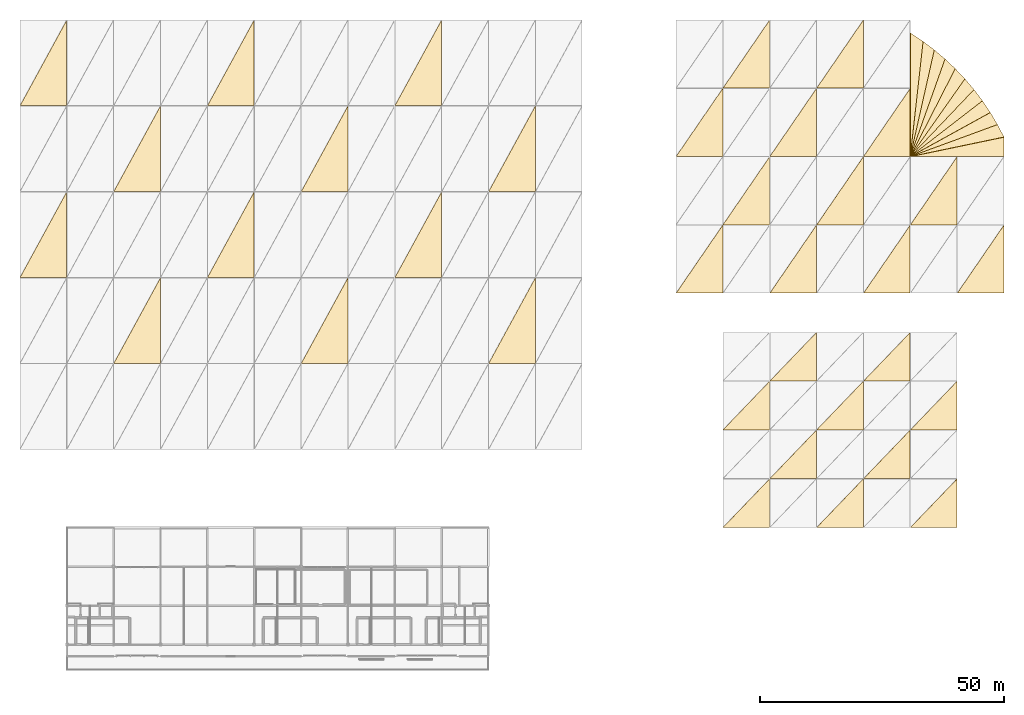
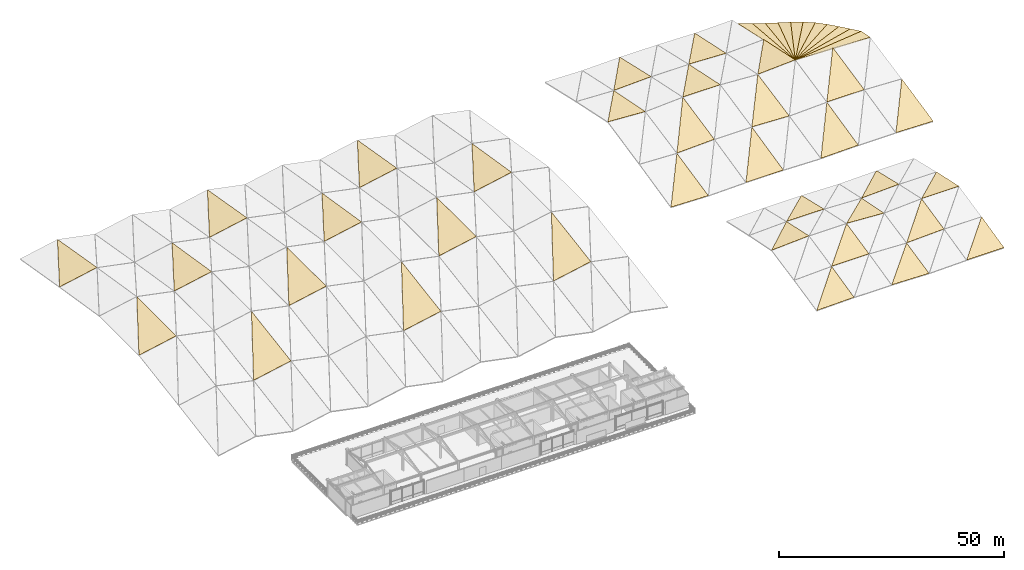
# One storey, part 26 of 26: 45 coverings.
"""IFC4 building model written with IfcOpenShell, lengths in metres."""

from ifc_helpers import new_model, si_unit, direction, frame, origin, place, context, subcontext, project, spatial, polyline, outline, extrude, material, layer, layer_set, type_object, element, save


model = new_model("IFC4")

# Units and contexts
model_context = context("Model", 3, precision=1e-05, world=origin(), true_north=direction((0.0, 1.0)))
body_context = subcontext(model_context, "Body", "Model", "MODEL_VIEW")
ifc_project = project(units=[si_unit("LENGTHUNIT", "METRE"), si_unit("AREAUNIT", "SQUARE_METRE"), si_unit("VOLUMEUNIT", "CUBIC_METRE"), si_unit("PLANEANGLEUNIT", "RADIAN"), si_unit("MASSUNIT", "GRAM", prefix="KILO")], contexts=[model_context])

# Site, building, storey
site_placement = place(None, origin())
site = spatial("IfcSite", under=ifc_project, at=site_placement, CompositionType="ELEMENT")
building_placement = place(site_placement, origin())
building = spatial("IfcBuilding", under=site, at=building_placement, Name="Danafjord Basin Convention Centre", CompositionType="ELEMENT")
storey_placement = place(building_placement, frame((0.0, 0.0, 29.39990234375)))
storey = spatial("IfcBuildingStorey", under=building, at=storey_placement, Name="RF", CompositionType="ELEMENT", Elevation=29.39990234375)

# Coverings
ifc_material = material(Name="Standing-seam zinc insulated roof cladding")
ifc_layer = layer(ifc_material, 0.0400390625)
ifc_layer_set = layer_set([ifc_layer], Name="Standing-seam zinc insulated roof cladding")
covering_type = type_object("IfcCoveringType", Name="COV-ROOF-ZINC", PredefinedType="ROOFING", material=ifc_layer_set)
covering_1_placement = place(storey_placement, frame((0.031982421875, 91.229248046875, 0.496337890625), z_axis=(-0.196116135138, 0.0, 0.980580675691), x_axis=(0.980580675691, 0.0, 0.196116135138)))
element("IfcCovering", 1, at=covering_1_placement, inside=storey, type_object=covering_type, Name="V1 standing-seam zinc roof panel", PredefinedType="ROOFING", context=body_context, shape_type="SweptSolid", body=[
    extrude(outline(polyline([(0.0, 0.0), (9.741168870572155, 0.0), (9.741168870572155, 17.511962890625), (0.0, 0.0)])), origin(), (0.0, 0.0, -1.0), 0.0400390625),
])
covering_2_placement = place(storey_placement, frame((0.031982421875, 126.42919921875, -2.3466796875), z_axis=(-0.193411953597, 0.165490849742, 0.967059767986), x_axis=(0.980580675691, 0.0, 0.196116135138)))
element("IfcCovering", 2, at=covering_2_placement, inside=storey, type_object=covering_type, Name="V1 standing-seam zinc roof panel", PredefinedType="ROOFING", context=body_context, shape_type="SweptSolid", body=[
    extrude(outline(polyline([(0.0, 0.0), (9.741168870572155, -5.551115123125783e-17), (9.15344290406307, 17.757053257736434), (0.0, 0.0)])), origin(), (0.0, 0.0, -1.0), 0.0400390625),
])
covering_3_placement = place(storey_placement, frame((19.23193359375, 73.62939453125, -2.3369140625), z_axis=(-0.193709692152, -0.156174371553, 0.968548460758), x_axis=(0.980580675691, 0.0, 0.196116135138)))
element("IfcCovering", 3, at=covering_3_placement, inside=storey, type_object=covering_type, Name="V1 standing-seam zinc roof panel", PredefinedType="ROOFING", context=body_context, shape_type="SweptSolid", body=[
    extrude(outline(polyline([(0.0, 0.0), (9.741168870572155, 0.0), (10.294947976775337, 17.72951287385829), (0.0, 0.0)])), origin(), (0.0, 0.0, -1.0), 0.0400390625),
])
covering_4_placement = place(storey_placement, frame((19.23193359375, 108.829345703125, 0.49169921875), z_axis=(-0.193709283639, 0.156187545055, 0.968546418197), x_axis=(0.980580675691, 0.0, 0.196116135138)))
element("IfcCovering", 4, at=covering_4_placement, inside=storey, type_object=covering_type, Name="V1 standing-seam zinc roof panel", PredefinedType="ROOFING", context=body_context, shape_type="SweptSolid", body=[
    extrude(outline(polyline([(0.0, 0.0), (9.741168870572155, 0.0), (9.187341884453167, 17.72955026351397), (0.0, 0.0)])), origin(), (0.0, 0.0, -1.0), 0.0400390625),
])
covering_5_placement = place(storey_placement, frame((38.431884765625, 91.229248046875, 0.496337890625), z_axis=(-0.196116135138, 0.0, 0.980580675691), x_axis=(0.980580675691, 0.0, 0.196116135138)))
element("IfcCovering", 5, at=covering_5_placement, inside=storey, type_object=covering_type, Name="V1 standing-seam zinc roof panel", PredefinedType="ROOFING", context=body_context, shape_type="SweptSolid", body=[
    extrude(outline(polyline([(0.0, 0.0), (9.741168870572155, 0.0), (9.741168870572155, 17.511962890625), (0.0, 0.0)])), origin(), (0.0, 0.0, -1.0), 0.0400390625),
])
covering_6_placement = place(storey_placement, frame((38.431884765625, 126.42919921875, -2.3466796875), z_axis=(-0.193411953597, 0.165490849742, 0.967059767986), x_axis=(0.980580675691, 0.0, 0.196116135138)))
element("IfcCovering", 6, at=covering_6_placement, inside=storey, type_object=covering_type, Name="V1 standing-seam zinc roof panel", PredefinedType="ROOFING", context=body_context, shape_type="SweptSolid", body=[
    extrude(outline(polyline([(0.0, 0.0), (9.741168870572155, -5.551115123125783e-17), (9.15344290406307, 17.757053257736434), (0.0, 0.0)])), origin(), (0.0, 0.0, -1.0), 0.0400390625),
])
covering_7_placement = place(storey_placement, frame((57.632080078125, 73.62939453125, -2.3369140625), z_axis=(-0.193709692152, -0.156174371553, 0.968548460758), x_axis=(0.980580675691, 0.0, 0.196116135138)))
element("IfcCovering", 7, at=covering_7_placement, inside=storey, type_object=covering_type, Name="V1 standing-seam zinc roof panel", PredefinedType="ROOFING", context=body_context, shape_type="SweptSolid", body=[
    extrude(outline(polyline([(0.0, 0.0), (9.741168870572155, 0.0), (10.294947976775337, 17.72951287385829), (0.0, 0.0)])), origin(), (0.0, 0.0, -1.0), 0.0400390625),
])
covering_8_placement = place(storey_placement, frame((57.632080078125, 108.829345703125, 0.49169921875), z_axis=(-0.193709283639, 0.156187545055, 0.968546418197), x_axis=(0.980580675691, 0.0, 0.196116135138)))
element("IfcCovering", 8, at=covering_8_placement, inside=storey, type_object=covering_type, Name="V1 standing-seam zinc roof panel", PredefinedType="ROOFING", context=body_context, shape_type="SweptSolid", body=[
    extrude(outline(polyline([(0.0, 0.0), (9.741168870572155, 0.0), (9.187341884453167, 17.72955026351397), (0.0, 0.0)])), origin(), (0.0, 0.0, -1.0), 0.0400390625),
])
covering_9_placement = place(storey_placement, frame((76.83203125, 91.229248046875, 0.496337890625), z_axis=(-0.196116135138, 0.0, 0.980580675691), x_axis=(0.980580675691, 0.0, 0.196116135138)))
element("IfcCovering", 9, at=covering_9_placement, inside=storey, type_object=covering_type, Name="V1 standing-seam zinc roof panel", PredefinedType="ROOFING", context=body_context, shape_type="SweptSolid", body=[
    extrude(outline(polyline([(0.0, 0.0), (9.741168870572155, 0.0), (9.741168870572155, 17.511962890625), (0.0, 0.0)])), origin(), (0.0, 0.0, -1.0), 0.0400390625),
])
covering_10_placement = place(storey_placement, frame((76.83203125, 126.42919921875, -2.3466796875), z_axis=(-0.193411953597, 0.165490849742, 0.967059767986), x_axis=(0.980580675691, 0.0, 0.196116135138)))
element("IfcCovering", 10, at=covering_10_placement, inside=storey, type_object=covering_type, Name="V1 standing-seam zinc roof panel", PredefinedType="ROOFING", context=body_context, shape_type="SweptSolid", body=[
    extrude(outline(polyline([(0.0, 0.0), (9.741168870572155, -5.551115123125783e-17), (9.15344290406307, 17.757053257736434), (0.0, 0.0)])), origin(), (0.0, 0.0, -1.0), 0.0400390625),
])
covering_11_placement = place(storey_placement, frame((96.031982421875, 73.62939453125, -2.3369140625), z_axis=(-0.193709692152, -0.156174371553, 0.968548460758), x_axis=(0.980580675691, 0.0, 0.196116135138)))
element("IfcCovering", 11, at=covering_11_placement, inside=storey, type_object=covering_type, Name="V1 standing-seam zinc roof panel", PredefinedType="ROOFING", context=body_context, shape_type="SweptSolid", body=[
    extrude(outline(polyline([(0.0, 0.0), (9.741168870572155, 0.0), (10.294947976775337, 17.72951287385829), (0.0, 0.0)])), origin(), (0.0, 0.0, -1.0), 0.0400390625),
])
covering_12_placement = place(storey_placement, frame((96.031982421875, 108.829345703125, 0.49169921875), z_axis=(-0.193709283639, 0.156187545055, 0.968546418197), x_axis=(0.980580675691, 0.0, 0.196116135138)))
element("IfcCovering", 12, at=covering_12_placement, inside=storey, type_object=covering_type, Name="V1 standing-seam zinc roof panel", PredefinedType="ROOFING", context=body_context, shape_type="SweptSolid", body=[
    extrude(outline(polyline([(0.0, 0.0), (9.741168870572155, 0.0), (9.187341884453167, 17.72955026351397), (0.0, 0.0)])), origin(), (0.0, 0.0, -1.0), 0.0400390625),
])
covering_13_placement = place(storey_placement, frame((134.431884765625, 88.023193359375, -4.530517578125), z_axis=(0.022906125536, -0.210526769045, 0.977319696378), x_axis=(0.999725450225, 0.0, -0.023431264865)))
element("IfcCovering", 13, at=covering_13_placement, inside=storey, type_object=covering_type, Name="V2 standing-seam zinc roof panel", PredefinedType="ROOFING", context=body_context, shape_type="SweptSolid", body=[
    extrude(outline(polyline([(0.0, 0.0), (9.554625173320217, -6.938893903907228e-18), (9.484314217153285, 14.249535035700598), (0.0, 0.0)])), origin(), (0.0, 0.0, -1.0), 0.0400390625),
])
covering_14_placement = place(storey_placement, frame((134.431884765625, 116.023193359375, 1.59619140625), z_axis=(0.057386865014, 0.194710346981, 0.979180590342), x_axis=(0.998287019617, 0.0, -0.058506636063)))
element("IfcCovering", 14, at=covering_14_placement, inside=storey, type_object=covering_type, Name="V2 standing-seam zinc roof panel", PredefinedType="ROOFING", context=body_context, shape_type="SweptSolid", body=[
    extrude(outline(polyline([(0.0, 0.0), (9.568392421636535, 0.0), (9.730456946240038, 14.20199072629945), (0.0, 0.0)])), origin(), (0.0, 0.0, -1.0), 0.0400390625),
])
covering_15_placement = place(storey_placement, frame((144.031982421875, 102.023193359375, -1.73779296875), z_axis=(-0.040132126722, -0.206185612186, 0.977689575342), x_axis=(0.999158597126, 0.0, 0.041013385482)))
element("IfcCovering", 15, at=covering_15_placement, inside=storey, type_object=covering_type, Name="V2 standing-seam zinc roof panel", PredefinedType="ROOFING", context=body_context, shape_type="SweptSolid", body=[
    extrude(outline(polyline([(0.0, 0.0), (9.560045803136914, 1.3877787807814457e-17), (9.680532636023967, 14.236067605044642), (0.0, 0.0)])), origin(), (0.0, 0.0, -1.0), 0.0400390625),
])
covering_16_placement = place(storey_placement, frame((144.031982421875, 130.023193359375, -1.747802734375), z_axis=(-0.03994372084, 0.22162726763, 0.974313016134), x_axis=(0.999160688834, 0.0, 0.040962396036)))
element("IfcCovering", 16, at=covering_16_placement, inside=storey, type_object=covering_type, Name="V2 standing-seam zinc roof panel", PredefinedType="ROOFING", context=body_context, shape_type="SweptSolid", body=[
    extrude(outline(polyline([(0.0, 0.0), (9.560025789518367, 0.0), (9.430228197197819, 14.285433735039122), (0.0, 0.0)])), origin(), (0.0, 0.0, -1.0), 0.0400390625),
])
covering_17_placement = place(storey_placement, frame((153.632080078125, 88.023193359375, -4.529541015625), z_axis=(0.0, -0.221804282724, 0.975091206075), x_axis=(1.0, 0.0, 0.0)))
element("IfcCovering", 17, at=covering_17_placement, inside=storey, type_object=covering_type, Name="V2 standing-seam zinc roof panel", PredefinedType="ROOFING", context=body_context, shape_type="SweptSolid", body=[
    extrude(outline(polyline([(0.0, 0.0), (9.552001953125, 0.0), (9.552001953125, 14.286023393973778), (0.0, 0.0)])), origin(), (0.0, 0.0, -1.0), 0.0400390625),
])
covering_18_placement = place(storey_placement, frame((153.632080078125, 116.023193359375, 1.59765625), z_axis=(0.0, 0.206368271542, 0.978474392358), x_axis=(1.0, 0.0, 0.0)))
element("IfcCovering", 18, at=covering_18_placement, inside=storey, type_object=covering_type, Name="V2 standing-seam zinc roof panel", PredefinedType="ROOFING", context=body_context, shape_type="SweptSolid", body=[
    extrude(outline(polyline([(0.0, 0.0), (9.552001953125, 0.0), (9.552001953125, 14.236627846413853), (0.0, 0.0)])), origin(), (0.0, 0.0, -1.0), 0.0400390625),
])
covering_19_placement = place(storey_placement, frame((163.23193359375, 102.023193359375, -1.346923828125), z_axis=(0.040177074341, -0.194874282765, 0.980005008464), x_axis=(0.999160688834, 0.0, -0.040962396036)))
element("IfcCovering", 19, at=covering_19_placement, inside=storey, type_object=covering_type, Name="V2 standing-seam zinc roof panel", PredefinedType="ROOFING", context=body_context, shape_type="SweptSolid", body=[
    extrude(outline(polyline([(0.0, 0.0), (9.560025789518367, 1.3877787807814457e-17), (9.44655915245319, 14.202462139442714), (0.0, 0.0)])), origin(), (0.0, 0.0, -1.0), 0.0400390625),
])
covering_20_placement = place(storey_placement, frame((163.23193359375, 130.023193359375, -1.3564453125), z_axis=(0.040070134521, 0.210429256711, 0.976787547136), x_axis=(0.999159643304, 0.0, -0.040987890799)))
element("IfcCovering", 20, at=covering_20_placement, inside=storey, type_object=covering_type, Name="V2 standing-seam zinc roof panel", PredefinedType="ROOFING", context=body_context, shape_type="SweptSolid", body=[
    extrude(outline(polyline([(0.0, 0.0), (9.56003579321549, 0.0), (9.68303949284902, 14.249229021777806), (0.0, 0.0)])), origin(), (0.0, 0.0, -1.0), 0.0400390625),
])
covering_21_placement = place(storey_placement, frame((172.83203125, 88.023193359375, -4.75390625), z_axis=(-0.022847842322, -0.221762625985, 0.974832967137), x_axis=(0.999725450225, 0.0, 0.023431264865)))
element("IfcCovering", 21, at=covering_21_placement, inside=storey, type_object=covering_type, Name="V2 standing-seam zinc roof panel", PredefinedType="ROOFING", context=body_context, shape_type="SweptSolid", body=[
    extrude(outline(polyline([(0.0, 0.0), (9.554625173320217, 0.0), (9.628877570281144, 14.285884581351109), (0.0, 0.0)])), origin(), (0.0, 0.0, -1.0), 0.0400390625),
])
covering_22_placement = place(storey_placement, frame((172.83203125, 116.023193359375, 1.037109375), z_axis=(-0.057226532236, 0.206030079181, 0.976870887314), x_axis=(0.998288509554, 0.0, 0.058481208023)))
element("IfcCovering", 22, at=covering_22_placement, inside=storey, type_object=covering_type, Name="V2 standing-seam zinc roof panel", PredefinedType="ROOFING", context=body_context, shape_type="SweptSolid", body=[
    extrude(outline(polyline([(0.0, 0.0), (9.568378140893847, -2.7755575615628914e-17), (9.396561037049032, 14.23559100705386), (0.0, 0.0)])), origin(), (0.0, 0.0, -1.0), 0.0400390625),
])
covering_23_placement = place(storey_placement, frame((182.431884765625, 102.023193359375, -1.34521484375), z_axis=(0.0, -0.206368271542, 0.978474392358), x_axis=(1.0, 0.0, 0.0)))
element("IfcCovering", 23, at=covering_23_placement, inside=storey, type_object=covering_type, Name="V2 standing-seam zinc roof panel", PredefinedType="ROOFING", context=body_context, shape_type="SweptSolid", body=[
    extrude(outline(polyline([(0.0, 0.0), (9.552001953125, 0.0), (9.552001953125, 14.236627846413853), (0.0, 0.0)])), origin(), (0.0, 0.0, -1.0), 0.0400390625),
])
covering_24_placement = place(storey_placement, frame((192.031982421875, 88.023193359375, -4.530517578125), z_axis=(0.022906125536, -0.210526769045, 0.977319696378), x_axis=(0.999725450225, 0.0, -0.023431264865)))
element("IfcCovering", 24, at=covering_24_placement, inside=storey, type_object=covering_type, Name="V2 standing-seam zinc roof panel", PredefinedType="ROOFING", context=body_context, shape_type="SweptSolid", body=[
    extrude(outline(polyline([(0.0, 0.0), (9.554625173320217, -6.938893903907228e-18), (9.484314217153285, 14.249535035700598), (0.0, 0.0)])), origin(), (0.0, 0.0, -1.0), 0.0400390625),
])
covering_25_placement = place(storey_placement, frame((144.031982421875, 40.0166015625, -6.755126953125), z_axis=(-0.02278381971, -0.228987863917, 0.973162604983), x_axis=(0.999726048452, 0.0, 0.023405726783)))
element("IfcCovering", 25, at=covering_25_placement, inside=storey, type_object=covering_type, Name="V3 standing-seam zinc roof panel", PredefinedType="ROOFING", context=body_context, shape_type="SweptSolid", body=[
    extrude(outline(polyline([(0.0, 0.0), (9.554619455914008, 0.0), (9.609419485173849, 10.22179581310729), (0.0, 0.0)])), origin(), (0.0, 0.0, -1.0), 0.0400390625),
])
covering_26_placement = place(storey_placement, frame((144.031982421875, 60.0166015625, -2.561767578125), z_axis=(-0.057162919173, 0.213087656264, 0.975359447291), x_axis=(0.998287019617, 0.0, 0.058506636063)))
element("IfcCovering", 26, at=covering_26_placement, inside=storey, type_object=covering_type, Name="V3 standing-seam zinc roof panel", PredefinedType="ROOFING", context=body_context, shape_type="SweptSolid", body=[
    extrude(outline(polyline([(0.0, 0.0), (9.568392421636535, 1.3877787807814457e-17), (9.441209050662659, 10.184092490943202), (0.0, 0.0)])), origin(), (0.0, 0.0, -1.0), 0.0400390625),
])
covering_27_placement = place(storey_placement, frame((153.632080078125, 50.0166015625, -4.178466796875), z_axis=(2.4970017e-05, -0.21345953296, 0.97695190627), x_axis=(0.999999999673, 0.0, -2.5559105e-05)))
element("IfcCovering", 27, at=covering_27_placement, inside=storey, type_object=covering_type, Name="V3 standing-seam zinc roof panel", PredefinedType="ROOFING", context=body_context, shape_type="SweptSolid", body=[
    extrude(outline(polyline([(0.0, 0.0), (9.55200195624501, 0.0), (9.551946388902774, 10.184938731772965), (0.0, 0.0)])), origin(), (0.0, 0.0, -1.0), 0.0400390625),
])
covering_28_placement = place(storey_placement, frame((153.632080078125, 70.0166015625, -4.18603515625), z_axis=(0.0, 0.229024690002, 0.973420613799), x_axis=(1.0, 0.0, 0.0)))
element("IfcCovering", 28, at=covering_28_placement, inside=storey, type_object=covering_type, Name="V3 standing-seam zinc roof panel", PredefinedType="ROOFING", context=body_context, shape_type="SweptSolid", body=[
    extrude(outline(polyline([(0.0, 0.0), (9.552001953125, 0.0), (9.552001953125, 10.221886789168742), (0.0, 0.0)])), origin(), (0.0, 0.0, -1.0), 0.0400390625),
])
covering_29_placement = place(storey_placement, frame((163.23193359375, 40.0166015625, -6.531982421875), z_axis=(0.022891973403, -0.213312101847, 0.976715877192), x_axis=(0.999725450225, 0.0, -0.023431264865)))
element("IfcCovering", 29, at=covering_29_placement, inside=storey, type_object=covering_type, Name="V3 standing-seam zinc roof panel", PredefinedType="ROOFING", context=body_context, shape_type="SweptSolid", body=[
    extrude(outline(polyline([(0.0, 0.0), (9.554625173320217, -6.938893903907228e-18), (9.503706792322587, 10.184603036462143), (0.0, 0.0)])), origin(), (0.0, 0.0, -1.0), 0.0400390625),
])
covering_30_placement = place(storey_placement, frame((163.23193359375, 60.0166015625, -2.002685546875), z_axis=(0.057331775626, 0.197289515749, 0.978667417706), x_axis=(0.998288509554, 0.0, -0.058481208023)))
element("IfcCovering", 30, at=covering_30_placement, inside=storey, type_object=covering_type, Name="V3 standing-seam zinc roof panel", PredefinedType="ROOFING", context=body_context, shape_type="SweptSolid", body=[
    extrude(outline(polyline([(0.0, 0.0), (9.568378140893847, 0.0), (9.685683220268036, 10.149684630939298), (0.0, 0.0)])), origin(), (0.0, 0.0, -1.0), 0.0400390625),
])
covering_31_placement = place(storey_placement, frame((172.83203125, 50.0166015625, -4.57080078125), z_axis=(-0.040020025212, -0.213265665505, 0.976174243411), x_axis=(0.999160688834, 0.0, 0.040962396036)))
element("IfcCovering", 31, at=covering_31_placement, inside=storey, type_object=covering_type, Name="V3 standing-seam zinc roof panel", PredefinedType="ROOFING", context=body_context, shape_type="SweptSolid", body=[
    extrude(outline(polyline([(0.0, 0.0), (9.560025789518367, -1.3877787807814457e-17), (9.649070998087762, 10.18449735749236), (0.0, 0.0)])), origin(), (0.0, 0.0, -1.0), 0.0400390625),
])
covering_32_placement = place(storey_placement, frame((172.83203125, 70.0166015625, -4.57861328125), z_axis=(-0.039900433766, 0.228819695129, 0.972650760811), x_axis=(0.999159643304, 0.0, 0.040987890799)))
element("IfcCovering", 32, at=covering_32_placement, inside=storey, type_object=covering_type, Name="V3 standing-seam zinc roof panel", PredefinedType="ROOFING", context=body_context, shape_type="SweptSolid", body=[
    extrude(outline(polyline([(0.0, 0.0), (9.56003579321549, 0.0), (9.464090505867112, 10.221380581611529), (0.0, 0.0)])), origin(), (0.0, 0.0, -1.0), 0.0400390625),
])
covering_33_placement = place(storey_placement, frame((182.431884765625, 40.0166015625, -6.531005859375), z_axis=(0.0, -0.229024690002, 0.973420613799), x_axis=(1.0, 0.0, 0.0)))
element("IfcCovering", 33, at=covering_33_placement, inside=storey, type_object=covering_type, Name="V3 standing-seam zinc roof panel", PredefinedType="ROOFING", context=body_context, shape_type="SweptSolid", body=[
    extrude(outline(polyline([(0.0, 0.0), (9.552001953125, 0.0), (9.552001953125, 10.221886789168742), (0.0, 0.0)])), origin(), (0.0, 0.0, -1.0), 0.0400390625),
])
covering_34_placement = place(storey_placement, frame((182.431884765625, 60.0166015625, -2.0009765625), z_axis=(0.0, 0.213436654327, 0.976956905185), x_axis=(1.0, 0.0, 0.0)))
element("IfcCovering", 34, at=covering_34_placement, inside=storey, type_object=covering_type, Name="V3 standing-seam zinc roof panel", PredefinedType="ROOFING", context=body_context, shape_type="SweptSolid", body=[
    extrude(outline(polyline([(0.0, 0.0), (9.552001953125, 0.0), (9.552001953125, 10.184886620573545), (0.0, 0.0)])), origin(), (0.0, 0.0, -1.0), 0.0400390625),
])
covering_35_placement = place(storey_placement, frame((182.39990234375, 116.0, 1.5625), z_axis=(0.068487483375, 0.212803728308, 0.974691765554), x_axis=(0.10782187856, 0.969684383457, -0.219286659383)))
element("IfcCovering", 35, at=covering_35_placement, inside=storey, type_object=covering_type, Name="Plenary drum curved roof acoustic deck panel 1", PredefinedType="ROOFING", context=body_context, shape_type="SweptSolid", body=[
    extrude(outline(polyline([(0.0, 0.0), (24.327593898672347, -5.551115123125783e-17), (25.795272666037405, 2.8042661768281905), (0.0, 0.0)])), origin(), (0.0, 0.0, -1.0), 0.159912109375),
])
covering_36_placement = place(storey_placement, frame((182.39990234375, 116.0, 1.5625), z_axis=(0.037583993719, 0.21643912588, 0.975572420789), x_axis=(0.21432819234, 0.951797083351, -0.219421371093)))
element("IfcCovering", 36, at=covering_36_placement, inside=storey, type_object=covering_type, Name="Plenary drum curved roof acoustic deck panel 2", PredefinedType="ROOFING", context=body_context, shape_type="SweptSolid", body=[
    extrude(outline(polyline([(0.0, 0.0), (22.96078049462301, -1.3183898417423734e-16), (24.185720619401735, 2.623498240701828), (0.0, 0.0)])), origin(), (0.0, 0.0, -1.0), 0.159912109375),
])
covering_37_placement = place(storey_placement, frame((182.39990234375, 116.0, 1.5625), z_axis=(-0.026898586629, 0.230307894142, 0.97274597914), x_axis=(0.328119978845, 0.921217539345, -0.209034745163)))
element("IfcCovering", 37, at=covering_37_placement, inside=storey, type_object=covering_type, Name="Plenary drum curved roof acoustic deck panel 3", PredefinedType="ROOFING", context=body_context, shape_type="SweptSolid", body=[
    extrude(outline(polyline([(0.0, 0.0), (21.70271305959356, -5.551115123125783e-17), (22.8001519120393, 2.711183083119084), (0.0, 0.0)])), origin(), (0.0, 0.0, -1.0), 0.159912109375),
])
covering_38_placement = place(storey_placement, frame((182.39990234375, 116.0, 1.5625), z_axis=(-0.064607250273, 0.242652875925, 0.967959443891), x_axis=(0.447132727455, 0.874205680482, -0.189305975211)))
element("IfcCovering", 38, at=covering_38_placement, inside=storey, type_object=covering_type, Name="Plenary drum curved roof acoustic deck panel 4", PredefinedType="ROOFING", context=body_context, shape_type="SweptSolid", body=[
    extrude(outline(polyline([(0.0, 0.0), (20.604921536524174, -2.220446049250313e-16), (21.520807716352145, 2.8040309168856887), (0.0, 0.0)])), origin(), (0.0, 0.0, -1.0), 0.159912109375),
])
covering_39_placement = place(storey_placement, frame((182.39990234375, 116.0, 1.5625), z_axis=(-0.052910318934, 0.237120391028, 0.970038359195), x_axis=(0.567129121036, 0.806674902197, -0.166253307451)))
element("IfcCovering", 39, at=covering_39_placement, inside=storey, type_object=covering_type, Name="Plenary drum curved roof acoustic deck panel 5", PredefinedType="ROOFING", context=body_context, shape_type="SweptSolid", body=[
    extrude(outline(polyline([(0.0, 0.0), (19.73644945955801, -4.440892098500626e-16), (20.40411662418801, 2.8696369653410883), (0.0, 0.0)])), origin(), (0.0, 0.0, -1.0), 0.159912109375),
])
covering_40_placement = place(storey_placement, frame((182.39990234375, 116.0, 1.5625), z_axis=(-0.011198171866, 0.209388016946, 0.977768510081), x_axis=(0.681931091186, 0.716760973551, -0.145683539454)))
element("IfcCovering", 40, at=covering_40_placement, inside=storey, type_object=covering_type, Name="Plenary drum curved roof acoustic deck panel 6", PredefinedType="ROOFING", context=body_context, shape_type="SweptSolid", body=[
    extrude(outline(polyline([(0.0, 0.0), (19.142988767443356, -1.0547118733938987e-15), (19.52243606325205, 2.8986078427278503), (0.0, 0.0)])), origin(), (0.0, 0.0, -1.0), 0.159912109375),
])
covering_41_placement = place(storey_placement, frame((182.39990234375, 116.0, 1.5625), z_axis=(0.032868121079, 0.168948465283, 0.98507669889), x_axis=(0.784699948019, 0.606063484118, -0.130127033308)))
element("IfcCovering", 41, at=covering_41_placement, inside=storey, type_object=covering_type, Name="Plenary drum curved roof acoustic deck panel 7", PredefinedType="ROOFING", context=body_context, shape_type="SweptSolid", body=[
    extrude(outline(polyline([(0.0, 0.0), (18.848018404787002, 2.1094237467877974e-15), (18.922295213128688, 2.8984069448008176), (0.0, 0.0)])), origin(), (0.0, 0.0, -1.0), 0.159912109375),
])
covering_42_placement = place(storey_placement, frame((182.39990234375, 116.0, 1.5625), z_axis=(0.04614921886, 0.152223294787, 0.987268108531), x_axis=(0.870165095843, 0.479256094283, -0.11457007493)))
element("IfcCovering", 42, at=covering_42_placement, inside=storey, type_object=covering_type, Name="Plenary drum curved roof acoustic deck panel 8", PredefinedType="ROOFING", context=body_context, shape_type="SweptSolid", body=[
    extrude(outline(polyline([(0.0, 0.0), (18.843799728593638, -9.992007221626409e-16), (18.62536276228297, 2.888539381859349), (0.0, 0.0)])), origin(), (0.0, 0.0, -1.0), 0.159912109375),
])
covering_43_placement = place(storey_placement, frame((182.39990234375, 116.0, 1.5625), z_axis=(0.040633138998, 0.161927274663, 0.985965773105), x_axis=(0.93460761722, 0.342809497244, -0.094816931162)))
element("IfcCovering", 43, at=covering_43_placement, inside=storey, type_object=covering_type, Name="Plenary drum curved roof acoustic deck panel 9", PredefinedType="ROOFING", context=body_context, shape_type="SweptSolid", body=[
    extrude(outline(polyline([(0.0, 0.0), (19.118359120224394, 1.942890293094024e-16), (18.625581940945143, 2.859455467826669), (0.0, 0.0)])), origin(), (0.0, 0.0, -1.0), 0.159912109375),
])
covering_44_placement = place(storey_placement, frame((182.39990234375, 116.0, 1.5625), z_axis=(0.029759104023, 0.190277120596, 0.981279273757), x_axis=(0.976642721856, 0.203465163965, -0.069071853148)))
element("IfcCovering", 44, at=covering_44_placement, inside=storey, type_object=covering_type, Name="Plenary drum curved roof acoustic deck panel 10", PredefinedType="ROOFING", context=body_context, shape_type="SweptSolid", body=[
    extrude(outline(polyline([(0.0, 0.0), (19.659385036938307, 2.498001805406602e-16), (18.90952352624688, 2.8180801018038935), (0.0, 0.0)])), origin(), (0.0, 0.0, -1.0), 0.159912109375),
])
covering_45_placement = place(storey_placement, frame((182.39990234375, 116.0, 1.5625), z_axis=(0.028722125712, 0.19495341142, 0.980391863935), x_axis=(0.999571131339, 0.0, -0.029284012596)))
element("IfcCovering", 45, at=covering_45_placement, inside=storey, type_object=covering_type, Name="Plenary drum curved roof acoustic deck panel 11", PredefinedType="ROOFING", context=body_context, shape_type="SweptSolid", body=[
    extrude(outline(polyline([(0.0, 0.0), (19.20843320753015, 1.3877787807814457e-17), (19.231726008564813, 4.0782514343877345), (0.0, 0.0)])), origin(), (0.0, 0.0, -1.0), 0.159912109375),
])

save(model, "model.ifc")
